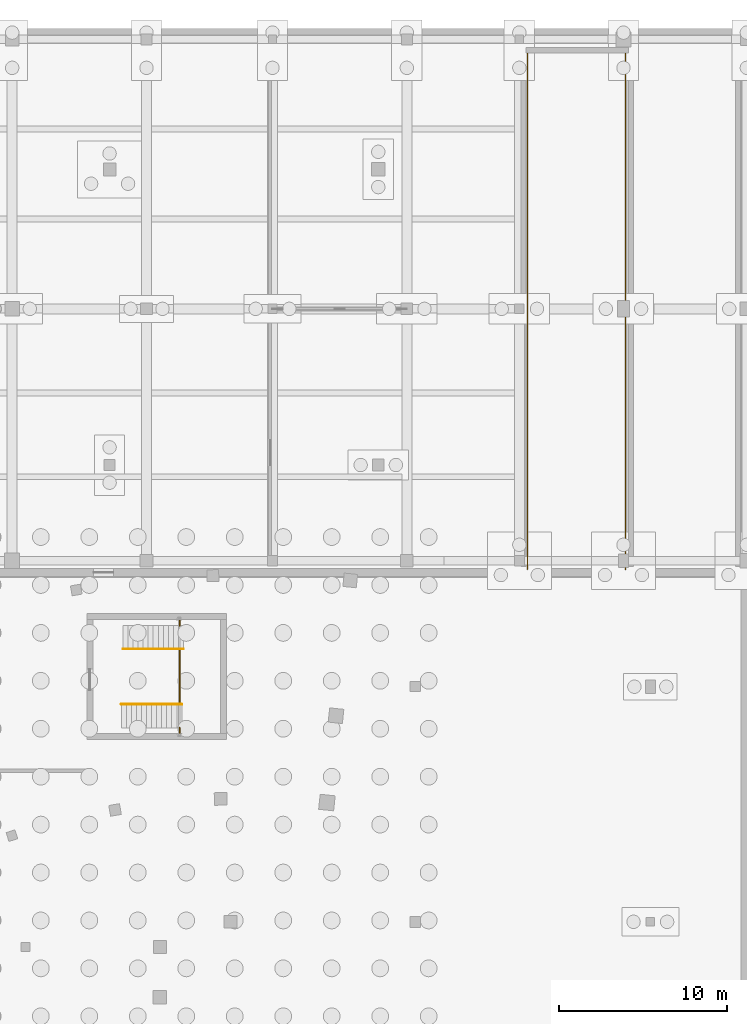
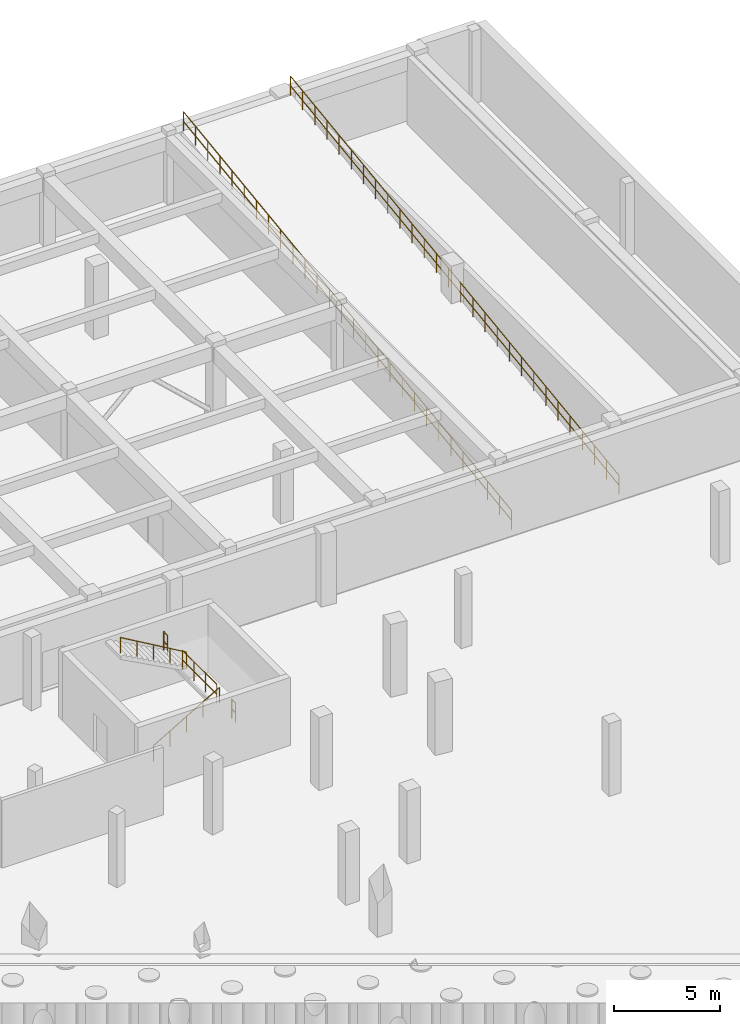
# One storey, part 34 of 36: 7 railings.
"""IFC4 building model written with IfcOpenShell, lengths in metres."""

from ifc_helpers import new_model, si_unit, direction, frame, origin, origin_2d, place, context, subcontext, project, spatial, circle, extrude, material, type_object, element, save


model = new_model("IFC4")

# Units and contexts
model_context = context("Model", 3, precision=1e-05, world=origin(), true_north=direction((0.0, 1.0)))
body_context = subcontext(model_context, "Body", "Model", "MODEL_VIEW")
ifc_project = project(units=[si_unit("LENGTHUNIT", "METRE"), si_unit("AREAUNIT", "SQUARE_METRE"), si_unit("VOLUMEUNIT", "CUBIC_METRE"), si_unit("PLANEANGLEUNIT", "RADIAN"), si_unit("MASSUNIT", "GRAM", prefix="KILO"), si_unit("THERMODYNAMICTEMPERATUREUNIT", "KELVIN"), si_unit("POWERUNIT", "WATT")], contexts=[model_context])

# Site, building, storey
site_placement = place(None, origin())
site = spatial("IfcSite", under=ifc_project, at=site_placement, CompositionType="ELEMENT")
building_placement = place(site_placement, origin())
building = spatial("IfcBuilding", under=site, at=building_placement, Name="Solvatero Civic Police Headquarters", CompositionType="ELEMENT")
storey_placement = place(building_placement, frame((0.0, 0.0, -8.39990234375)))
storey = spatial("IfcBuildingStorey", under=building, at=storey_placement, Name="B02", CompositionType="ELEMENT", Elevation=-8.39990234375)

# Railings
ifc_material_1 = material(Name="Painted Galvanized Steel", Category="steel")
railing_type_1 = type_object("IfcRailingType", Name="RL-GRD-110", PredefinedType="GUARDRAIL", material=ifc_material_1)
railing_1_placement = place(storey_placement, frame((89.969970703125, 76.97998046875, 2.099853515625)))
element("IfcRailing", 1, at=railing_1_placement, inside=storey, type_object=railing_type_1, Name="ST-C3 B02 Half-Landing Well Guardrail", PredefinedType="GUARDRAIL", context=body_context, shape_type="SweptSolid", body=[
    extrude(circle(Radius=0.02392578125, at=origin_2d()), frame((0.0, 0.0, 1.09619140625), z_axis=(0.0, 1.0, 0.0), x_axis=(-1.0, 0.0, 0.0)), (0.0, 0.0, 1.0), 3.239990234375),
    extrude(circle(Radius=0.02392578125, at=origin_2d()), frame((0.0, 0.0, 0.5361328125), z_axis=(0.0, 1.0, 0.0), x_axis=(-1.0, 0.0, 0.0)), (0.0, 0.0, 1.0), 3.239990234375),
    extrude(circle(Radius=0.02099609375, at=origin_2d()), origin(), (0.0, 0.0, 1.0), 1.072021484375),
    extrude(circle(Radius=0.02099609375, at=origin_2d()), frame((0.0, 1.080078125, 0.0)), (0.0, 0.0, 1.0), 1.072021484375),
    extrude(circle(Radius=0.02099609375, at=origin_2d()), frame((0.0, 2.159912109375, 0.0)), (0.0, 0.0, 1.0), 1.072021484375),
    extrude(circle(Radius=0.02099609375, at=origin_2d()), frame((0.0, 3.239990234375, 0.0)), (0.0, 0.0, 1.0), 1.072021484375),
])
for number, where, name in (
    (2, (89.969970703125, 75.2099609375, 2.099853515625), "ST-C3 B02 Half-Landing South Slot Guardrail"),
    (3, (89.969970703125, 81.6298828125, 2.099853515625), "ST-C3 B02 Half-Landing North Slot Guardrail"),
):
    element("IfcRailing", number, at=place(storey_placement, frame(where)), inside=storey, type_object=railing_type_1, Name=name, PredefinedType="GUARDRAIL", context=body_context, shape_type="SweptSolid", body=[
        extrude(circle(Radius=0.02392578125, at=origin_2d()), frame((0.0, 0.0, 1.09619140625), z_axis=(0.0, 1.0, 0.0), x_axis=(-1.0, 0.0, 0.0)), (0.0, 0.0, 1.0), 0.360107421875),
        extrude(circle(Radius=0.02392578125, at=origin_2d()), frame((0.0, 0.0, 0.5361328125), z_axis=(0.0, 1.0, 0.0), x_axis=(-1.0, 0.0, 0.0)), (0.0, 0.0, 1.0), 0.360107421875),
        extrude(circle(Radius=0.02099609375, at=origin_2d()), origin(), (0.0, 0.0, 1.0), 1.072021484375),
        extrude(circle(Radius=0.02099609375, at=origin_2d()), frame((0.0, 0.360107421875, 0.0)), (0.0, 0.0, 1.0), 1.072021484375),
    ])
railing_2_placement = place(storey_placement, frame((110.679931640625, 85.0, 0.0)))
element("IfcRailing", 4, at=railing_2_placement, inside=storey, type_object=railing_type_1, Name="Deck Safety Guardrail RL-VRMP-B02-W", PredefinedType="GUARDRAIL", context=body_context, shape_type="SweptSolid", body=[
    extrude(circle(Radius=0.02392578125, at=origin_2d()), frame((0.0, 0.0, 1.09619140625), z_axis=(0.0, 0.990946717663, 0.134255736391), x_axis=(-1.0, 0.0, 0.0)), (0.0, 0.0, 1.0), 31.283203125),
    extrude(circle(Radius=0.02392578125, at=origin_2d()), frame((0.0, 0.0, 0.5361328125), z_axis=(0.0, 0.990946717663, 0.134255736391), x_axis=(-1.0, 0.0, 0.0)), (0.0, 0.0, 1.0), 31.283203125),
    extrude(circle(Radius=0.02099609375, at=origin_2d()), origin(), (0.0, 0.0, 1.0), 1.072021484375),
    extrude(circle(Radius=0.02099609375, at=origin_2d()), frame((0.0, 1.148193359375, 0.155517578125)), (0.0, 0.0, 1.0), 1.072021484375),
    extrude(circle(Radius=0.02099609375, at=origin_2d()), frame((0.0, 2.29638671875, 0.31103515625)), (0.0, 0.0, 1.0), 1.072021484375),
    extrude(circle(Radius=0.02099609375, at=origin_2d()), frame((0.0, 3.4443359375, 0.466552734375)), (0.0, 0.0, 1.0), 1.072021484375),
    extrude(circle(Radius=0.02099609375, at=origin_2d()), frame((0.0, 4.592529296875, 0.622314453125)), (0.0, 0.0, 1.0), 1.072021484375),
    extrude(circle(Radius=0.02099609375, at=origin_2d()), frame((0.0, 5.74072265625, 0.77783203125)), (0.0, 0.0, 1.0), 1.072021484375),
    extrude(circle(Radius=0.02099609375, at=origin_2d()), frame((0.0, 6.888916015625, 0.933349609375)), (0.0, 0.0, 1.0), 1.072021484375),
    extrude(circle(Radius=0.02099609375, at=origin_2d()), frame((0.0, 8.037109375, 1.0888671875)), (0.0, 0.0, 1.0), 1.072021484375),
    extrude(circle(Radius=0.02099609375, at=origin_2d()), frame((0.0, 9.185302734375, 1.244384765625)), (0.0, 0.0, 1.0), 1.072021484375),
    extrude(circle(Radius=0.02099609375, at=origin_2d()), frame((0.0, 10.333251953125, 1.39990234375)), (0.0, 0.0, 1.0), 1.072021484375),
    extrude(circle(Radius=0.02099609375, at=origin_2d()), frame((0.0, 11.4814453125, 1.555419921875)), (0.0, 0.0, 1.0), 1.072021484375),
    extrude(circle(Radius=0.02099609375, at=origin_2d()), frame((0.0, 12.629638671875, 1.711181640625)), (0.0, 0.0, 1.0), 1.072021484375),
    extrude(circle(Radius=0.02099609375, at=origin_2d()), frame((0.0, 13.77783203125, 1.86669921875)), (0.0, 0.0, 1.0), 1.072021484375),
    extrude(circle(Radius=0.02099609375, at=origin_2d()), frame((0.0, 14.926025390625, 2.022216796875)), (0.0, 0.0, 1.0), 1.072021484375),
    extrude(circle(Radius=0.02099609375, at=origin_2d()), frame((0.0, 16.073974609375, 2.177734375)), (0.0, 0.0, 1.0), 1.072021484375),
    extrude(circle(Radius=0.02099609375, at=origin_2d()), frame((0.0, 17.22216796875, 2.333251953125)), (0.0, 0.0, 1.0), 1.072021484375),
    extrude(circle(Radius=0.02099609375, at=origin_2d()), frame((0.0, 18.370361328125, 2.48876953125)), (0.0, 0.0, 1.0), 1.072021484375),
    extrude(circle(Radius=0.02099609375, at=origin_2d()), frame((0.0, 19.5185546875, 2.64453125)), (0.0, 0.0, 1.0), 1.072021484375),
    extrude(circle(Radius=0.02099609375, at=origin_2d()), frame((0.0, 20.666748046875, 2.800048828125)), (0.0, 0.0, 1.0), 1.072021484375),
    extrude(circle(Radius=0.02099609375, at=origin_2d()), frame((0.0, 21.814697265625, 2.95556640625)), (0.0, 0.0, 1.0), 1.072021484375),
    extrude(circle(Radius=0.02099609375, at=origin_2d()), frame((0.0, 22.962890625, 3.111083984375)), (0.0, 0.0, 1.0), 1.072021484375),
    extrude(circle(Radius=0.02099609375, at=origin_2d()), frame((0.0, 24.111083984375, 3.2666015625)), (0.0, 0.0, 1.0), 1.072021484375),
    extrude(circle(Radius=0.02099609375, at=origin_2d()), frame((0.0, 25.25927734375, 3.422119140625)), (0.0, 0.0, 1.0), 1.072021484375),
    extrude(circle(Radius=0.02099609375, at=origin_2d()), frame((0.0, 26.407470703125, 3.57763671875)), (0.0, 0.0, 1.0), 1.072021484375),
    extrude(circle(Radius=0.02099609375, at=origin_2d()), frame((0.0, 27.5556640625, 3.7333984375)), (0.0, 0.0, 1.0), 1.072021484375),
    extrude(circle(Radius=0.02099609375, at=origin_2d()), frame((0.0, 28.70361328125, 3.888916015625)), (0.0, 0.0, 1.0), 1.072021484375),
    extrude(circle(Radius=0.02099609375, at=origin_2d()), frame((0.0, 29.851806640625, 4.04443359375)), (0.0, 0.0, 1.0), 1.072021484375),
    extrude(circle(Radius=0.02099609375, at=origin_2d()), frame((0.0, 31.0, 4.199951171875)), (0.0, 0.0, 1.0), 1.072021484375),
])
railing_3_placement = place(storey_placement, frame((116.52001953125, 85.0, 0.0)))
element("IfcRailing", 5, at=railing_3_placement, inside=storey, type_object=railing_type_1, Name="Deck Safety Guardrail RL-VRMP-B02-E", PredefinedType="GUARDRAIL", context=body_context, shape_type="SweptSolid", body=[
    extrude(circle(Radius=0.02392578125, at=origin_2d()), frame((0.0, 0.0, 1.09619140625), z_axis=(0.0, 0.990946717663, 0.134255736391), x_axis=(-1.0, 0.0, 0.0)), (0.0, 0.0, 1.0), 31.283203125),
    extrude(circle(Radius=0.02392578125, at=origin_2d()), frame((0.0, 0.0, 0.5361328125), z_axis=(0.0, 0.990946717663, 0.134255736391), x_axis=(-1.0, 0.0, 0.0)), (0.0, 0.0, 1.0), 31.283203125),
    extrude(circle(Radius=0.02099609375, at=origin_2d()), origin(), (0.0, 0.0, 1.0), 1.072021484375),
    extrude(circle(Radius=0.02099609375, at=origin_2d()), frame((0.0, 1.148193359375, 0.155517578125)), (0.0, 0.0, 1.0), 1.072021484375),
    extrude(circle(Radius=0.02099609375, at=origin_2d()), frame((0.0, 2.29638671875, 0.31103515625)), (0.0, 0.0, 1.0), 1.072021484375),
    extrude(circle(Radius=0.02099609375, at=origin_2d()), frame((0.0, 3.4443359375, 0.466552734375)), (0.0, 0.0, 1.0), 1.072021484375),
    extrude(circle(Radius=0.02099609375, at=origin_2d()), frame((0.0, 4.592529296875, 0.622314453125)), (0.0, 0.0, 1.0), 1.072021484375),
    extrude(circle(Radius=0.02099609375, at=origin_2d()), frame((0.0, 5.74072265625, 0.77783203125)), (0.0, 0.0, 1.0), 1.072021484375),
    extrude(circle(Radius=0.02099609375, at=origin_2d()), frame((0.0, 6.888916015625, 0.933349609375)), (0.0, 0.0, 1.0), 1.072021484375),
    extrude(circle(Radius=0.02099609375, at=origin_2d()), frame((0.0, 8.037109375, 1.0888671875)), (0.0, 0.0, 1.0), 1.072021484375),
    extrude(circle(Radius=0.02099609375, at=origin_2d()), frame((0.0, 9.185302734375, 1.244384765625)), (0.0, 0.0, 1.0), 1.072021484375),
    extrude(circle(Radius=0.02099609375, at=origin_2d()), frame((0.0, 10.333251953125, 1.39990234375)), (0.0, 0.0, 1.0), 1.072021484375),
    extrude(circle(Radius=0.02099609375, at=origin_2d()), frame((0.0, 11.4814453125, 1.555419921875)), (0.0, 0.0, 1.0), 1.072021484375),
    extrude(circle(Radius=0.02099609375, at=origin_2d()), frame((0.0, 12.629638671875, 1.711181640625)), (0.0, 0.0, 1.0), 1.072021484375),
    extrude(circle(Radius=0.02099609375, at=origin_2d()), frame((0.0, 13.77783203125, 1.86669921875)), (0.0, 0.0, 1.0), 1.072021484375),
    extrude(circle(Radius=0.02099609375, at=origin_2d()), frame((0.0, 14.926025390625, 2.022216796875)), (0.0, 0.0, 1.0), 1.072021484375),
    extrude(circle(Radius=0.02099609375, at=origin_2d()), frame((0.0, 16.073974609375, 2.177734375)), (0.0, 0.0, 1.0), 1.072021484375),
    extrude(circle(Radius=0.02099609375, at=origin_2d()), frame((0.0, 17.22216796875, 2.333251953125)), (0.0, 0.0, 1.0), 1.072021484375),
    extrude(circle(Radius=0.02099609375, at=origin_2d()), frame((0.0, 18.370361328125, 2.48876953125)), (0.0, 0.0, 1.0), 1.072021484375),
    extrude(circle(Radius=0.02099609375, at=origin_2d()), frame((0.0, 19.5185546875, 2.64453125)), (0.0, 0.0, 1.0), 1.072021484375),
    extrude(circle(Radius=0.02099609375, at=origin_2d()), frame((0.0, 20.666748046875, 2.800048828125)), (0.0, 0.0, 1.0), 1.072021484375),
    extrude(circle(Radius=0.02099609375, at=origin_2d()), frame((0.0, 21.814697265625, 2.95556640625)), (0.0, 0.0, 1.0), 1.072021484375),
    extrude(circle(Radius=0.02099609375, at=origin_2d()), frame((0.0, 22.962890625, 3.111083984375)), (0.0, 0.0, 1.0), 1.072021484375),
    extrude(circle(Radius=0.02099609375, at=origin_2d()), frame((0.0, 24.111083984375, 3.2666015625)), (0.0, 0.0, 1.0), 1.072021484375),
    extrude(circle(Radius=0.02099609375, at=origin_2d()), frame((0.0, 25.25927734375, 3.422119140625)), (0.0, 0.0, 1.0), 1.072021484375),
    extrude(circle(Radius=0.02099609375, at=origin_2d()), frame((0.0, 26.407470703125, 3.57763671875)), (0.0, 0.0, 1.0), 1.072021484375),
    extrude(circle(Radius=0.02099609375, at=origin_2d()), frame((0.0, 27.5556640625, 3.7333984375)), (0.0, 0.0, 1.0), 1.072021484375),
    extrude(circle(Radius=0.02099609375, at=origin_2d()), frame((0.0, 28.70361328125, 3.888916015625)), (0.0, 0.0, 1.0), 1.072021484375),
    extrude(circle(Radius=0.02099609375, at=origin_2d()), frame((0.0, 29.851806640625, 4.04443359375)), (0.0, 0.0, 1.0), 1.072021484375),
    extrude(circle(Radius=0.02099609375, at=origin_2d()), frame((0.0, 31.0, 4.199951171875)), (0.0, 0.0, 1.0), 1.072021484375),
])
ifc_material_2 = material(Name="Brushed Stainless Steel", Category="steel")
railing_type_2 = type_object("IfcRailingType", Name="RL-HND-092", PredefinedType="HANDRAIL", material=ifc_material_2)
railing_4_placement = place(storey_placement, frame((86.5, 76.949951171875, 0.0)))
element("IfcRailing", 6, at=railing_4_placement, inside=storey, type_object=railing_type_2, Name="ST-C3 B02 Flight 1 Handrail", PredefinedType="HANDRAIL", context=body_context, shape_type="SweptSolid", body=[
    extrude(circle(Radius=0.02392578125, at=origin_2d()), frame((0.0, 0.0, 0.89599609375), z_axis=(0.863800146258, 0.0, 0.503834603144), x_axis=(0.0, 1.0, 0.0)), (0.0, 0.0, 1.0), 4.167724609375),
    extrude(circle(Radius=0.02099609375, at=origin_2d()), origin(), (0.0, 0.0, 1.0), 0.871826171875),
    extrude(circle(Radius=0.02099609375, at=origin_2d()), frame((0.89990234375, 0.0, 0.52490234375)), (0.0, 0.0, 1.0), 0.871826171875),
    extrude(circle(Radius=0.02099609375, at=origin_2d()), frame((1.800048828125, 0.0, 1.0498046875)), (0.0, 0.0, 1.0), 0.871826171875),
    extrude(circle(Radius=0.02099609375, at=origin_2d()), frame((2.7001953125, 0.0, 1.574951171875)), (0.0, 0.0, 1.0), 0.871826171875),
    extrude(circle(Radius=0.02099609375, at=origin_2d()), frame((3.60009765625, 0.0, 2.099853515625)), (0.0, 0.0, 1.0), 0.871826171875),
])
railing_5_placement = place(storey_placement, frame((90.199951171875, 80.25, 2.099853515625)))
element("IfcRailing", 7, at=railing_5_placement, inside=storey, type_object=railing_type_2, Name="ST-C3 B02 Flight 2 Handrail", PredefinedType="HANDRAIL", context=body_context, shape_type="SweptSolid", body=[
    extrude(circle(Radius=0.02392578125, at=origin_2d()), frame((0.0, 0.0, 0.89599609375), z_axis=(-0.863759778359, 0.0, 0.503903805591), x_axis=(0.0, -1.0, 0.0)), (0.0, 0.0, 1.0), 4.167724609375),
    extrude(circle(Radius=0.02099609375, at=origin_2d()), origin(), (0.0, 0.0, 1.0), 0.871826171875),
    extrude(circle(Radius=0.02099609375, at=origin_2d()), frame((-0.89990234375, 0.0, 0.52490234375)), (0.0, 0.0, 1.0), 0.871826171875),
    extrude(circle(Radius=0.02099609375, at=origin_2d()), frame((-1.7998046875, 0.0, 1.050048828125)), (0.0, 0.0, 1.0), 0.871826171875),
    extrude(circle(Radius=0.02099609375, at=origin_2d()), frame((-2.699951171875, 0.0, 1.5751953125)), (0.0, 0.0, 1.0), 0.871826171875),
    extrude(circle(Radius=0.02099609375, at=origin_2d()), frame((-3.599853515625, 0.0, 2.10009765625)), (0.0, 0.0, 1.0), 0.871826171875),
])

save(model, "model.ifc")
